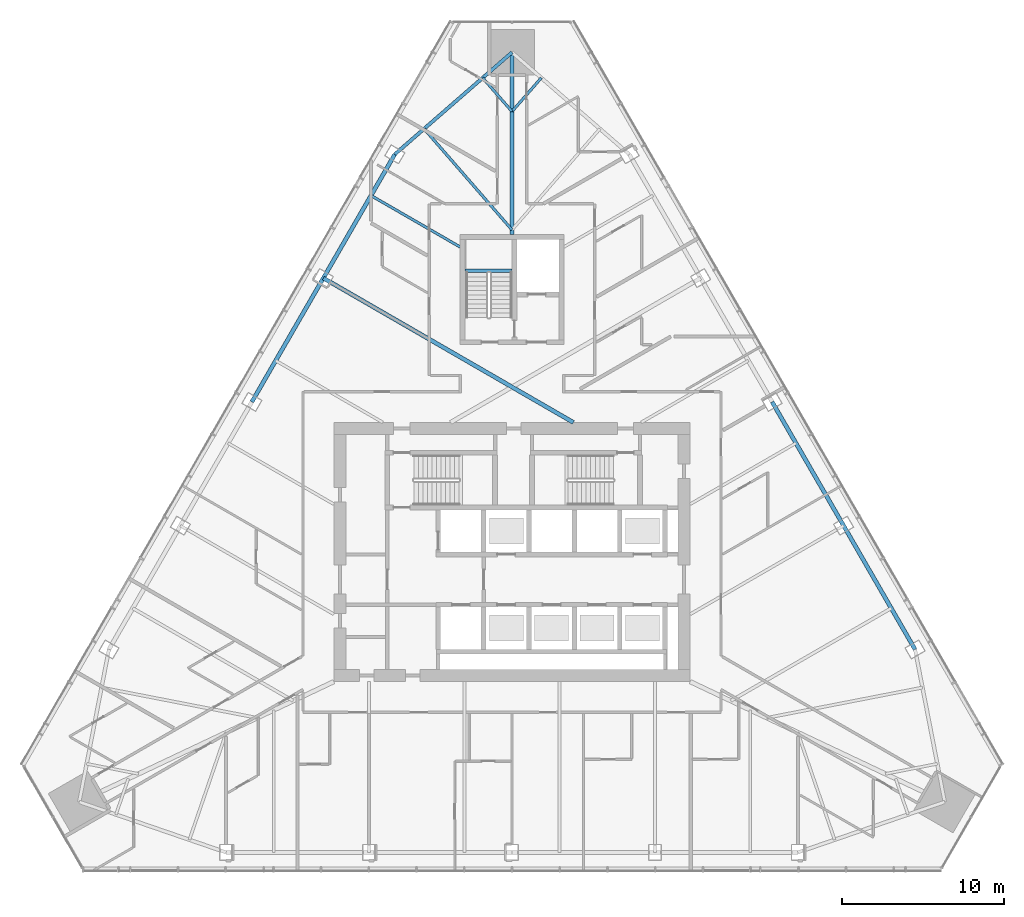
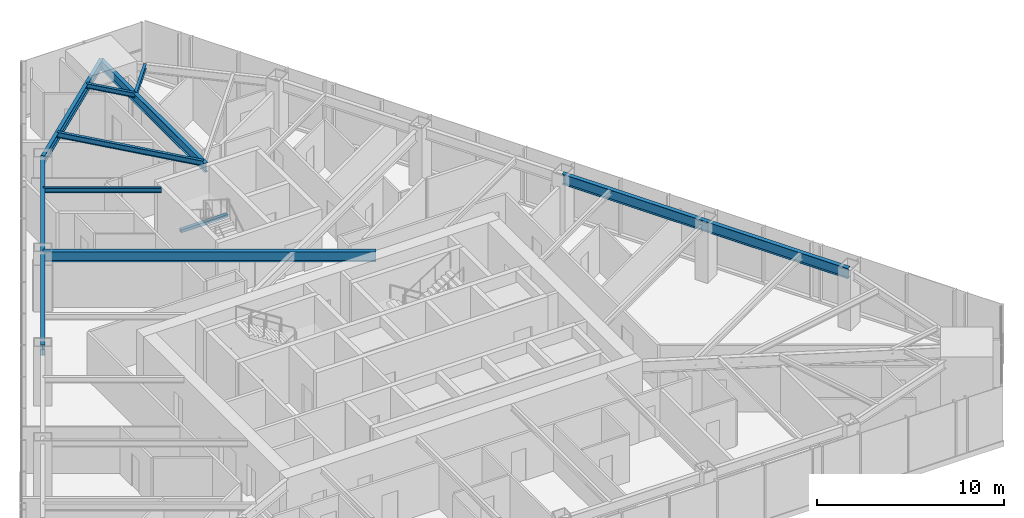
# One storey, part 10 of 19: 10 beams.
"""IFC4 building model written with IfcOpenShell, lengths in metres."""

import ifcopenshell
import ifcopenshell.guid

model = None  # the IFC model being written
_history = None  # IfcOwnerHistory: only IFC2X3 demands one
_inside = {}  # id of a spatial element -> (the spatial element, [elements in it])
_under = {}  # id of a project, library or spatial element -> (it, [spatial elements below it])
_declared = {}  # id of a project -> (the project, [libraries it declares])
_typed = {}  # id of a type object -> (the type object, [elements of that type])
_made_of = {}  # id of a material, layer set ... -> (it, [elements and type objects made of it])


def new_model(schema):
    """Start an empty IFC model of exactly this schema.

    Asked for "IFC4X3", IfcOpenShell would pick the latest addendum, in which some entities
    have other attributes; the version numbers below select the first issue.
    IFC2X3 requires an IfcOwnerHistory on every rooted entity: one is made here for all.
    """
    global model, _history
    if schema == "IFC4X3":
        model = ifcopenshell.file(schema_version=(4, 3, 0, 0))
    else:
        model = ifcopenshell.file(schema=schema)
    _inside.clear()
    _under.clear()
    _declared.clear()
    _typed.clear()
    _made_of.clear()
    _history = None
    if model.schema == "IFC2X3":
        org = make("IfcOrganization", Name="unknown")
        user = make(
            "IfcPersonAndOrganization",
            ThePerson=make("IfcPerson", FamilyName="unknown"),
            TheOrganization=org,
        )
        app = make(
            "IfcApplication",
            ApplicationDeveloper=org,
            Version="unknown",
            ApplicationFullName="unknown",
            ApplicationIdentifier="unknown",
        )
        _history = make(
            "IfcOwnerHistory",
            OwningUser=user,
            OwningApplication=app,
            ChangeAction="ADDED",
            CreationDate=0,
        )
    return model


def make(cls, **values):
    """One entity of the class cls with the attributes given. An attribute that is None is left unset."""
    return model.create_entity(
        cls, **{name: value for name, value in values.items() if value is not None}
    )


def rooted(cls, **values):
    """An entity with a GlobalId (a new one), such as an element, a storey or a relation."""
    return make(cls, GlobalId=ifcopenshell.guid.new(), OwnerHistory=_history, **values)


def si_unit(unit_type, name, prefix=None):
    """IfcSIUnit, for example si_unit("LENGTHUNIT", "METRE", prefix="MILLI")."""
    return make("IfcSIUnit", UnitType=unit_type, Prefix=prefix, Name=name)


def assignment(units):
    """IfcUnitAssignment: the units of a project."""
    return None if units is None else make("IfcUnitAssignment", Units=units)


def point(xyz):
    """IfcCartesianPoint."""
    return None if xyz is None else make("IfcCartesianPoint", Coordinates=xyz)


def direction(xyz):
    """IfcDirection."""
    return None if xyz is None else make("IfcDirection", DirectionRatios=xyz)


def frame(location, z_axis=None, x_axis=None):
    """IfcAxis2Placement3D, a coordinate frame: its origin and axes. An axis left out is left unset."""
    return make(
        "IfcAxis2Placement3D",
        Location=point(location),
        Axis=direction(z_axis),
        RefDirection=direction(x_axis),
    )


def frame_2d(location, x_axis=None):
    """IfcAxis2Placement2D, a coordinate frame in the plane: its origin and x axis."""
    return make(
        "IfcAxis2Placement2D", Location=point(location), RefDirection=direction(x_axis)
    )


def origin():
    """The frame at (0, 0, 0) with its axes left unset."""
    return frame((0.0, 0.0, 0.0))


def origin_2d():
    """The frame at (0, 0) in the plane with its x axis left unset."""
    return frame_2d((0.0, 0.0))


def place(relative_to, where):
    """IfcLocalPlacement: puts the frame where relative to a parent placement (None: the world)."""
    return make(
        "IfcLocalPlacement", PlacementRelTo=relative_to, RelativePlacement=where
    )


def context(
    kind, dimensions, precision=None, world=None, true_north=None, identifier=None
):
    """IfcGeometricRepresentationContext, for example the 3D "Model" context."""
    return make(
        "IfcGeometricRepresentationContext",
        ContextIdentifier=identifier,
        ContextType=kind,
        CoordinateSpaceDimension=dimensions,
        Precision=precision,
        WorldCoordinateSystem=world,
        TrueNorth=true_north,
    )


def subcontext(parent, identifier, kind, view, scale=None):
    """IfcGeometricRepresentationSubContext, for example "Body" below "Model"."""
    return make(
        "IfcGeometricRepresentationSubContext",
        ContextIdentifier=identifier,
        ContextType=kind,
        ParentContext=parent,
        TargetScale=scale,
        TargetView=view,
    )


def project(units=None, contexts=None):
    """IfcProject with its units and contexts."""
    return rooted(
        "IfcProject",
        Name="project",
        RepresentationContexts=contexts,
        UnitsInContext=assignment(units),
    )


def spatial(cls, under=None, at=None, **own):
    """A site, building, storey or space (cls), placed at a placement, below another one or the project."""
    s = rooted(cls, ObjectPlacement=at, **own)
    if under is not None:
        _under.setdefault(under.id(), (under, []))[1].append(s)
    return s


def profile(cls, at=None, kind="AREA", **sizes):
    """A parametric profile (cls). Its sizes go by their IFC names, for example OverallWidth=200.0."""
    return make(cls, ProfileType=kind, Position=at, **sizes)


def rectangle(**sizes):
    """IfcRectangleProfileDef."""
    return profile("IfcRectangleProfileDef", **sizes)


def i_section(**sizes):
    """IfcIShapeProfileDef."""
    return profile("IfcIShapeProfileDef", **sizes)


def extrude(swept, where, along, depth):
    """IfcExtrudedAreaSolid: the profile swept, set in the frame where, extruded along a direction by depth."""
    return make(
        "IfcExtrudedAreaSolid",
        SweptArea=swept,
        Position=where,
        ExtrudedDirection=direction(along),
        Depth=depth,
    )


def shape(context_of_items, identifier, shape_type, items):
    """IfcShapeRepresentation: the items that make up one representation, for example the "Body"."""
    return make(
        "IfcShapeRepresentation",
        ContextOfItems=context_of_items,
        RepresentationIdentifier=identifier,
        RepresentationType=shape_type,
        Items=items,
    )


def material(Name=None, Category=None):
    """IfcMaterial."""
    return make("IfcMaterial", Name=Name, Category=Category)


def material_profile(
    of_material, cross_section, Name=None, Category=None, Priority=None
):
    """IfcMaterialProfile: a cross section and its material."""
    return make(
        "IfcMaterialProfile",
        Name=Name,
        Material=of_material,
        Profile=cross_section,
        Priority=Priority,
        Category=Category,
    )


def profile_set(profiles, Name=None, composite=None):
    """IfcMaterialProfileSet."""
    return make(
        "IfcMaterialProfileSet",
        Name=Name,
        MaterialProfiles=profiles,
        CompositeProfile=composite,
    )


def made_of(thing, what):
    """Note that an element or type object is made of a material, layer set ...; save() writes the relation."""
    if what is not None:
        _made_of.setdefault(what.id(), (what, []))[1].append(thing)
    return thing


def type_object(cls, material=None, **own):
    """A type object (cls), such as IfcWallType, which elements share."""
    return made_of(rooted(cls, **own), material)


def element(
    cls,
    number,
    at=None,
    inside=None,
    cuts=None,
    type_object=None,
    material=None,
    context=None,
    identifier="Body",
    shape_type=None,
    held_by="IfcProductDefinitionShape",
    body=None,
    shapes=None,
    **own,
):
    """One element of the class cls, such as IfcWall. Its Tag is "e" and its number.

    at: its placement. inside: the storey or other place that contains it. cuts: it is an
    opening in that element (IfcRelVoidsElement). A single representation is given by context,
    identifier, shape_type and body (its items); several are given by shapes. held_by: the class
    of the entity that holds the representations. save() writes the other relations.
    """
    e = rooted(cls, Tag="e%d" % number, ObjectPlacement=at, **own)
    if body is not None:
        shapes = [shape(context, identifier, shape_type, body)]
    if shapes is not None:
        e.Representation = make(held_by, Representations=shapes)
    if inside is not None:
        _inside.setdefault(inside.id(), (inside, []))[1].append(e)
    if cuts is not None:
        rooted(
            "IfcRelVoidsElement", RelatingBuildingElement=cuts, RelatedOpeningElement=e
        )
    if type_object is not None:
        _typed.setdefault(type_object.id(), (type_object, []))[1].append(e)
    return made_of(e, material)


def aggregate(whole, parts):
    """IfcRelAggregates: a whole, such as a stair, and the parts it consists of."""
    return rooted("IfcRelAggregates", RelatingObject=whole, RelatedObjects=parts)


def save(model, path):
    """Write the relations noted so far, then the file.

    IfcRelAggregates (storeys below a building ...), IfcRelContainedInSpatialStructure (elements
    in a storey), IfcRelDefinesByType, IfcRelAssociatesMaterial and IfcRelDeclares: one each for
    every whole, place, type object, material and project.
    """
    for whole, parts in _under.values():
        aggregate(whole, parts)
    for where, things in _inside.values():
        rooted(
            "IfcRelContainedInSpatialStructure",
            RelatedElements=things,
            RelatingStructure=where,
        )
    for kind, things in _typed.values():
        rooted("IfcRelDefinesByType", RelatedObjects=things, RelatingType=kind)
    for what, things in _made_of.values():
        rooted("IfcRelAssociatesMaterial", RelatedObjects=things, RelatingMaterial=what)
    for by, libraries in _declared.values():
        rooted("IfcRelDeclares", RelatingContext=by, RelatedDefinitions=libraries)
    model.write(path)


model = new_model("IFC4")

# Units and contexts
model_context = context("Model", 3, precision=1e-05, world=origin(), true_north=direction((0.0, 1.0)))
body_context = subcontext(model_context, "Body", "Model", "MODEL_VIEW")
ifc_project = project(units=[si_unit("LENGTHUNIT", "METRE"), si_unit("AREAUNIT", "SQUARE_METRE"), si_unit("VOLUMEUNIT", "CUBIC_METRE"), si_unit("PLANEANGLEUNIT", "RADIAN"), si_unit("MASSUNIT", "GRAM", prefix="KILO")], contexts=[model_context])

# Site, building, storey
site_placement = place(None, origin())
site = spatial("IfcSite", under=ifc_project, at=site_placement, CompositionType="ELEMENT")
building_placement = place(site_placement, origin())
building = spatial("IfcBuilding", under=site, at=building_placement, Name="Firuza Gate Tower and Library", CompositionType="ELEMENT")
storey_placement = place(building_placement, frame((0.0, 0.0, 183.10009765625)))
storey = spatial("IfcBuildingStorey", under=building, at=storey_placement, Name="L42", CompositionType="ELEMENT", Elevation=183.10009765625)

# Beams
ifc_material_1 = material(Name="Concrete C35/45", Category="concrete")
ifc_material_profile_1 = material_profile(ifc_material_1, rectangle(XDim=0.199951171875, YDim=0.199951171875, at=origin_2d()))
ifc_profile_set_1 = profile_set([ifc_material_profile_1], Name="Concrete C35/45")
beam_type_1 = type_object("IfcBeamType", Name="Stair landing bearer 200x200", PredefinedType="BEAM", material=ifc_profile_set_1)
beam_1_placement = place(storey_placement, frame((75.0, 92.3701171875, 1.64990234375), z_axis=(-1.0, 0.0, 0.0), x_axis=(0.0, -1.0, 0.0)))
element("IfcBeam", 1, at=beam_1_placement, inside=storey, type_object=beam_type_1, Name="Landing bearer L42 stair 3", PredefinedType="BEAM", context=body_context, shape_type="SweptSolid", body=[
    extrude(rectangle(XDim=0.199951171875, YDim=0.199951171875, at=origin_2d()), origin(), (0.0, 0.0, 1.0), 2.89990234375),
])
ifc_material_2 = material(Name="Steel S355", Category="steel")
ifc_material_profile_2 = material_profile(ifc_material_2, i_section(OverallWidth=0.1650390625, OverallDepth=0.31005859375, WebThickness=0.005859375, FlangeThickness=0.009765625, at=origin_2d()))
ifc_profile_set_2 = profile_set([ifc_material_profile_2], Name="Steel S355")
beam_type_2 = type_object("IfcBeamType", Name="W310x39 Floor beam", PredefinedType="JOIST", material=ifc_profile_set_2)
for number, where, z_axis, x_axis, name in (
    (2, (76.80810546875, 104.272216796875, 3.544921875), (-0.656349840757, -0.754456683009, 0.0), (0.754456683009, -0.656349840757, 0.0), "Floor beam L42 s61"),
    (3, (73.19189453125, 104.272216796875, 3.544921875), (0.656349840757, -0.754456683009, 0.0), (0.754456683009, 0.656349840757, 0.0), "Floor beam L42 s70"),
):
    element("IfcBeam", number, at=place(storey_placement, frame(where, z_axis=z_axis, x_axis=x_axis)), inside=storey, type_object=beam_type_2, Name=name, PredefinedType="JOIST", context=body_context, shape_type="SweptSolid", body=[
        extrude(i_section(OverallWidth=0.1650390625, OverallDepth=0.31005859375, WebThickness=0.005859375, FlangeThickness=0.009765625, at=origin_2d()), origin(), (0.0, 0.0, 1.0), 2.7548828125),
    ])
beam_2_placement = place(storey_placement, frame((66.296875, 97.00634765625, 3.544921875), z_axis=(0.866026275825, -0.499998489578, 0.0), x_axis=(0.499998489578, 0.866026275825, 0.0)))
element("IfcBeam", 4, at=beam_2_placement, inside=storey, type_object=beam_type_2, Name="Floor beam L42 s80", PredefinedType="JOIST", context=body_context, shape_type="SweptSolid", body=[
    extrude(i_section(OverallWidth=0.1650390625, OverallDepth=0.31005859375, WebThickness=0.005859375, FlangeThickness=0.009765625, at=origin_2d()), origin(), (0.0, 0.0, 1.0), 6.3544921875),
])
ifc_material_3 = material(Name="Steel S355", Category="steel")
ifc_material_profile_3 = material_profile(ifc_material_3, i_section(OverallWidth=0.1708984375, OverallDepth=0.35498046875, WebThickness=0.007080078125, FlangeThickness=0.01171875, at=origin_2d()))
ifc_profile_set_3 = profile_set([ifc_material_profile_3], Name="Steel S355")
beam_type_3 = type_object("IfcBeamType", Name="W360x51 Floor beam", PredefinedType="JOIST", material=ifc_profile_set_3)
beam_3_placement = place(storey_placement, frame((69.57568359375, 101.12646484375, 3.5224609375), z_axis=(0.656320584547, -0.754482133851, 0.0), x_axis=(0.754482133851, 0.656320584547, 0.0)))
element("IfcBeam", 5, at=beam_3_placement, inside=storey, type_object=beam_type_3, Name="Floor beam L42 s71", PredefinedType="JOIST", context=body_context, shape_type="SweptSolid", body=[
    extrude(i_section(OverallWidth=0.1708984375, OverallDepth=0.35498046875, WebThickness=0.007080078125, FlangeThickness=0.01171875, at=origin_2d()), origin(), (0.0, 0.0, 1.0), 8.2646484375),
])
ifc_material_4 = material(Name="Steel S355", Category="steel")
ifc_material_profile_4 = material_profile(ifc_material_4, i_section(OverallWidth=0.212890625, OverallDepth=0.5390625, WebThickness=0.01171875, FlangeThickness=0.018798828125, at=origin_2d()))
ifc_profile_set_4 = profile_set([ifc_material_profile_4], Name="Steel S355")
beam_type_4 = type_object("IfcBeamType", Name="W530x109 Edge beam", PredefinedType="SPANDREL", material=ifc_profile_set_4)
beam_4_placement = place(storey_placement, frame((75.0, 105.84521484375, 3.430419921875), z_axis=(-0.754466787809, -0.656338225379, 0.0), x_axis=(0.656338225379, -0.754466787809, 0.0)))
element("IfcBeam", 6, at=beam_4_placement, inside=storey, type_object=beam_type_4, Name="Edge beam L42 e70", PredefinedType="SPANDREL", context=body_context, shape_type="SweptSolid", body=[
    extrude(i_section(OverallWidth=0.212890625, OverallDepth=0.5390625, WebThickness=0.01171875, FlangeThickness=0.018798828125, at=origin_2d()), origin(), (0.0, 0.0, 1.0), 9.586181640625),
])
ifc_material_5 = material(Name="Steel S355", Category="steel")
ifc_material_profile_5 = material_profile(ifc_material_5, i_section(OverallWidth=0.22802734375, OverallDepth=0.60302734375, WebThickness=0.010498046875, FlangeThickness=0.014892578125, at=origin_2d()))
ifc_profile_set_5 = profile_set([ifc_material_profile_5], Name="Steel S355")
beam_type_5 = type_object("IfcBeamType", Name="W610x101 Girder", PredefinedType="BEAM", material=ifc_profile_set_5)
beam_5_placement = place(storey_placement, frame((75.0, 105.84521484375, 3.3984375), z_axis=(0.0, -1.0, 0.0), x_axis=(1.0, 0.0, 0.0)))
element("IfcBeam", 7, at=beam_5_placement, inside=storey, type_object=beam_type_5, Name="Girder L42 gN", PredefinedType="BEAM", context=body_context, shape_type="SweptSolid", body=[
    extrude(i_section(OverallWidth=0.22802734375, OverallDepth=0.60302734375, WebThickness=0.010498046875, FlangeThickness=0.014892578125, at=origin_2d()), origin(), (0.0, 0.0, 1.0), 11.2451171875),
])
ifc_material_6 = material(Name="Steel S355", Category="steel")
ifc_material_profile_6 = material_profile(ifc_material_6, i_section(OverallWidth=0.2529296875, OverallDepth=0.677978515625, WebThickness=0.01171875, FlangeThickness=0.016357421875, at=origin_2d()))
ifc_profile_set_6 = profile_set([ifc_material_profile_6], Name="Steel S355")
beam_type_6 = type_object("IfcBeamType", Name="W690x125 Edge beam", PredefinedType="SPANDREL", material=ifc_profile_set_6)
for number, where, z_axis, x_axis, name in (
    (8, (99.880126953125, 68.98681640625, 3.36083984375), (-0.499992693477, 0.866029622166, 0.0), (-0.866029622166, -0.499992693477, 0.0), "Edge beam L42 e50"),
    (9, (67.767578125, 99.553466796875, 3.36083984375), (-0.50000905945, -0.866020173245, 0.0), (0.866020173245, -0.50000905945, 0.0), "Edge beam L42 e80"),
):
    element("IfcBeam", number, at=place(storey_placement, frame(where, z_axis=z_axis, x_axis=x_axis)), inside=storey, type_object=beam_type_6, Name=name, PredefinedType="SPANDREL", context=body_context, shape_type="SweptSolid", body=[
        extrude(i_section(OverallWidth=0.2529296875, OverallDepth=0.677978515625, WebThickness=0.01171875, FlangeThickness=0.016357421875, at=origin_2d()), origin(), (0.0, 0.0, 1.0), 17.647705078125),
    ])
ifc_material_7 = material(Name="Steel S355", Category="steel")
ifc_material_profile_7 = material_profile(ifc_material_7, i_section(OverallWidth=0.2529296875, OverallDepth=0.677978515625, WebThickness=0.01171875, FlangeThickness=0.016357421875, at=origin_2d()))
ifc_profile_set_7 = profile_set([ifc_material_profile_7], Name="Steel S355")
beam_type_7 = type_object("IfcBeamType", Name="W690x125 Floor beam", PredefinedType="JOIST", material=ifc_profile_set_7)
beam_6_placement = place(storey_placement, frame((63.35546875, 91.911865234375, 3.36083984375), z_axis=(0.866025230413, -0.500000300289, 0.0), x_axis=(0.500000300289, 0.866025230413, 0.0)))
element("IfcBeam", 10, at=beam_6_placement, inside=storey, type_object=beam_type_7, Name="Floor beam L42 s81", PredefinedType="JOIST", context=body_context, shape_type="SweptSolid", body=[
    extrude(i_section(OverallWidth=0.2529296875, OverallDepth=0.677978515625, WebThickness=0.01171875, FlangeThickness=0.016357421875, at=origin_2d()), origin(), (0.0, 0.0, 1.0), 17.82373046875),
])

save(model, "model.ifc")
